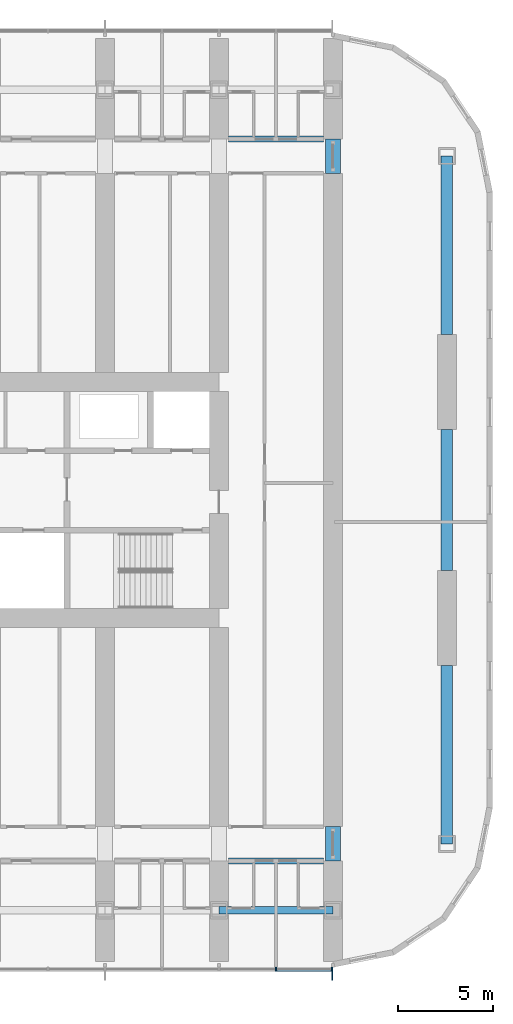
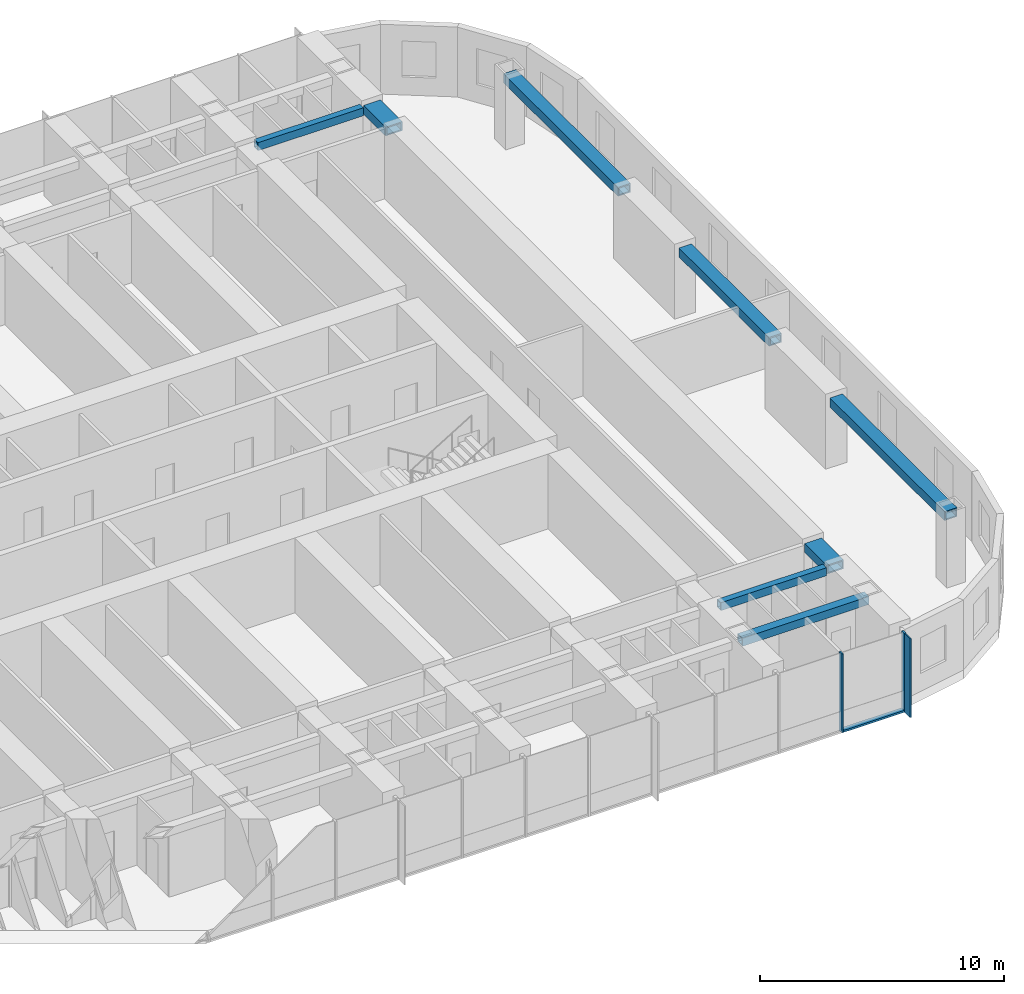
# One storey, part 8 of 28: 8 beams, 4 members, 1 element without a shape of its own.
"""IFC4 building model written with IfcOpenShell, lengths in metres."""

from ifc_helpers import new_model, si_unit, direction, frame, origin, origin_2d, place, context, subcontext, project, spatial, rectangle, hollow_rectangle, extrude, material, material_profile, profile_set, type_object, element, aggregate, save


model = new_model("IFC4")

# Units and contexts
model_context = context("Model", 3, precision=1e-05, world=origin(), true_north=direction((0.0, 1.0)))
body_context = subcontext(model_context, "Body", "Model", "MODEL_VIEW")
ifc_project = project(units=[si_unit("LENGTHUNIT", "METRE"), si_unit("AREAUNIT", "SQUARE_METRE"), si_unit("VOLUMEUNIT", "CUBIC_METRE"), si_unit("PLANEANGLEUNIT", "RADIAN"), si_unit("MASSUNIT", "GRAM", prefix="KILO")], contexts=[model_context])

# Site, building, storey
site_placement = place(None, origin())
site = spatial("IfcSite", under=ifc_project, at=site_placement, CompositionType="ELEMENT")
building_placement = place(site_placement, origin())
building = spatial("IfcBuilding", under=site, at=building_placement, Name="Orbita Commons", CompositionType="ELEMENT")
storey_placement = place(building_placement, frame((0.0, 0.0, 23.949951171875)))
storey = spatial("IfcBuildingStorey", under=building, at=storey_placement, Name="L05", CompositionType="ELEMENT", Elevation=23.949951171875)

# Curtain wall, members
ifc_material_1 = material(Name="Anodised aluminium frame, pale silver", Category="aluminium")
curtain_wall_type = type_object("IfcCurtainWallType", Name="Unitised curtain wall CW-T, vision and spandrel", PredefinedType="NOTDEFINED", material=ifc_material_1)
curtain_wall_placement = place(storey_placement, origin())
curtain_wall = element("IfcCurtainWall", 1, at=curtain_wall_placement, inside=storey, type_object=curtain_wall_type, Name="Curtain wall south L05", PredefinedType="NOTDEFINED")
ifc_material_2 = material(Name="Anodised aluminium, pale silver", Category="aluminium")
ifc_material_profile_1 = material_profile(ifc_material_2, rectangle(XDim=0.080078125, YDim=0.219970703125, at=origin_2d()), Name="AL 80x220")
ifc_profile_set_1 = profile_set([ifc_material_profile_1], Name="Anodised aluminium, pale silver")
member_type_1 = type_object("IfcMemberType", Name="Curtain wall mullion 80x220", PredefinedType="MULLION", material=ifc_profile_set_1)
member_1_placement = place(storey_placement, frame((69.0, 7.2900390625, -0.449951171875), z_axis=(0.0, 0.0, 1.0), x_axis=(1.0, 0.0, 0.0)))
member_1 = element("IfcMember", 2, at=member_1_placement, type_object=member_type_1, Name="Mullion 20 CW-L05-S", PredefinedType="MULLION", context=body_context, shape_type="SweptSolid", body=[
    extrude(rectangle(XDim=0.080078125, YDim=0.219970703125, at=origin_2d()), origin(), (0.0, 0.0, 1.0), 3.949951171875),
])
member_2_placement = place(storey_placement, frame((71.9599609375, 7.2900390625, -0.449951171875), z_axis=(0.0, 0.0, 1.0), x_axis=(1.0, 0.0, 0.0)))
member_2 = element("IfcMember", 3, at=member_2_placement, type_object=member_type_1, Name="Mullion 21 CW-L05-S", PredefinedType="MULLION", context=body_context, shape_type="SweptSolid", body=[
    extrude(rectangle(XDim=0.080078125, YDim=0.219970703125, at=origin_2d()), origin(), (0.0, 0.0, 1.0), 3.949951171875),
])
ifc_material_3 = material(Name="Anodised aluminium, pale silver", Category="aluminium")
ifc_material_profile_2 = material_profile(ifc_material_3, rectangle(XDim=0.219970703125, YDim=0.10009765625, at=origin_2d()), Name="AL 220x100")
ifc_profile_set_2 = profile_set([ifc_material_profile_2], Name="Anodised aluminium, pale silver")
member_type_2 = type_object("IfcMemberType", Name="Curtain wall stack transom 220x100", PredefinedType="USERDEFINED", material=ifc_profile_set_2)
member_3_placement = place(storey_placement, frame((69.0400390625, 7.2900390625, -0.39990234375), z_axis=(1.0, 0.0, 0.0), x_axis=(0.0, 1.0, 0.0)))
member_3 = element("IfcMember", 4, at=member_3_placement, type_object=member_type_2, Name="Transom 20.1 CW-L05-S", ObjectType="TRANSOM", PredefinedType="USERDEFINED", context=body_context, shape_type="SweptSolid", body=[
    extrude(rectangle(XDim=0.219970703125, YDim=0.10009765625, at=origin_2d()), origin(), (0.0, 0.0, 1.0), 2.8798828125),
])

# Beams
ifc_material_4 = material(Name="Steel ASTM A572 Gr 50 welded plate", Category="steel")
ifc_material_profile_3 = material_profile(ifc_material_4, hollow_rectangle(XDim=0.300048828125, YDim=0.39990234375, WallThickness=0.0400390625, at=origin_2d()), Name="BOX 400x300x40")
ifc_profile_set_3 = profile_set([ifc_material_profile_3], Name="Steel ASTM A572 Gr 50 welded plate")
beam_type_1 = type_object("IfcBeamType", Name="Steel corridor link BOX 400x300x40", PredefinedType="BEAM", material=ifc_profile_set_3)
for number, where, z_axis, x_axis, name in (
    (5, (66.5, 13.0, 3.300048828125), (1.0, 0.0, 0.0), (0.0, 1.0, 0.0), "Corridor beam SA 12-13 L05"),
    (6, (66.5, 51.0, 3.300048828125), (1.0, 0.0, 0.0), (0.0, 1.0, 0.0), "Corridor beam NB 12-13 L05"),
):
    element("IfcBeam", number, at=place(storey_placement, frame(where, z_axis=z_axis, x_axis=x_axis)), inside=storey, type_object=beam_type_1, Name=name, PredefinedType="BEAM", context=body_context, shape_type="SweptSolid", body=[
        extrude(hollow_rectangle(XDim=0.300048828125, YDim=0.39990234375, WallThickness=0.0400390625, at=origin_2d()), origin(), (0.0, 0.0, 1.0), 5.0),
    ])
ifc_material_5 = material(Name="Steel ASTM A572 Gr 50 welded plate", Category="steel")
ifc_material_profile_4 = material_profile(ifc_material_5, hollow_rectangle(XDim=0.800048828125, YDim=0.449951171875, WallThickness=0.06005859375, at=origin_2d()), Name="BOX 450x800x60")
ifc_profile_set_4 = profile_set([ifc_material_profile_4], Name="Steel ASTM A572 Gr 50 welded plate")
beam_type_2 = type_object("IfcBeamType", Name="Steel coupling link BOX 450x800x60", PredefinedType="LINTEL", material=ifc_profile_set_4)
for number, where, z_axis, x_axis, name in (
    (7, (72.0, 13.0, 3.275146484375), (0.0, 1.0, 0.0), (-1.0, 0.0, 0.0), "Coupling beam 13 south L05"),
    (8, (72.0, 49.199951171875, 3.275146484375), (0.0, 1.0, 0.0), (-1.0, 0.0, 0.0), "Coupling beam 13 north L05"),
):
    element("IfcBeam", number, at=place(storey_placement, frame(where, z_axis=z_axis, x_axis=x_axis)), inside=storey, type_object=beam_type_2, Name=name, PredefinedType="LINTEL", context=body_context, shape_type="SweptSolid", body=[
        extrude(hollow_rectangle(XDim=0.800048828125, YDim=0.449951171875, WallThickness=0.06005859375, at=origin_2d()), origin(), (0.0, 0.0, 1.0), 1.800048828125),
    ])
ifc_material_6 = material(Name="Steel ASTM A572 Gr 50 welded plate", Category="steel")
ifc_material_profile_5 = material_profile(ifc_material_6, hollow_rectangle(XDim=0.60009765625, YDim=0.449951171875, WallThickness=0.06005859375, at=origin_2d()), Name="BOX 450x600x60")
ifc_profile_set_5 = profile_set([ifc_material_profile_5], Name="Steel ASTM A572 Gr 50 welded plate")
beam_type_3 = type_object("IfcBeamType", Name="Steel end frame link BOX 450x600x60", PredefinedType="BEAM", material=ifc_profile_set_5)
beam_1_placement = place(storey_placement, frame((78.0, 13.89990234375, 3.275146484375), z_axis=(0.0, 1.0, 0.0), x_axis=(-1.0, 0.0, 0.0)))
element("IfcBeam", 9, at=beam_1_placement, inside=storey, type_object=beam_type_3, Name="End frame beam 14 B-C L05", PredefinedType="BEAM", context=body_context, shape_type="SweptSolid", body=[
    extrude(hollow_rectangle(XDim=0.60009765625, YDim=0.449951171875, WallThickness=0.06005859375, at=origin_2d()), origin(), (0.0, 0.0, 1.0), 9.400146484375),
])
beam_2_placement = place(storey_placement, frame((78.0, 28.300048828125, 3.275146484375), z_axis=(0.0, 1.0, 0.0), x_axis=(-1.0, 0.0, 0.0)))
element("IfcBeam", 10, at=beam_2_placement, inside=storey, type_object=beam_type_3, Name="End frame beam 14 C-D L05", PredefinedType="BEAM", context=body_context, shape_type="SweptSolid", body=[
    extrude(hollow_rectangle(XDim=0.60009765625, YDim=0.449951171875, WallThickness=0.06005859375, at=origin_2d()), origin(), (0.0, 0.0, 1.0), 7.39990234375),
])
beam_3_placement = place(storey_placement, frame((78.0, 40.699951171875, 3.275146484375), z_axis=(0.0, 1.0, 0.0), x_axis=(-1.0, 0.0, 0.0)))
element("IfcBeam", 11, at=beam_3_placement, inside=storey, type_object=beam_type_3, Name="End frame beam 14 D-E L05", PredefinedType="BEAM", context=body_context, shape_type="SweptSolid", body=[
    extrude(hollow_rectangle(XDim=0.60009765625, YDim=0.449951171875, WallThickness=0.06005859375, at=origin_2d()), origin(), (0.0, 0.0, 1.0), 9.400146484375),
])
ifc_material_7 = material(Name="Steel ASTM A572 Gr 50 welded plate", Category="steel")
ifc_material_profile_6 = material_profile(ifc_material_7, hollow_rectangle(XDim=0.39990234375, YDim=0.39990234375, WallThickness=0.0400390625, at=origin_2d()), Name="BOX 400x400x40")
ifc_profile_set_6 = profile_set([ifc_material_profile_6], Name="Steel ASTM A572 Gr 50 welded plate")
beam_type_4 = type_object("IfcBeamType", Name="Steel spandrel BOX 400x400x40", PredefinedType="SPANDREL", material=ifc_profile_set_6)
beam_4_placement = place(storey_placement, frame((66.0, 10.39990234375, 3.300048828125), z_axis=(1.0, 0.0, 0.0), x_axis=(0.0, 1.0, 0.0)))
element("IfcBeam", 12, at=beam_4_placement, inside=storey, type_object=beam_type_4, Name="Spandrel beam B 12-13 L05", PredefinedType="SPANDREL", context=body_context, shape_type="SweptSolid", body=[
    extrude(hollow_rectangle(XDim=0.39990234375, YDim=0.39990234375, WallThickness=0.0400390625, at=origin_2d()), origin(), (0.0, 0.0, 1.0), 6.0),
])

# Member
ifc_material_8 = material(Name="Anodised aluminium, pale silver", Category="aluminium")
ifc_material_profile_7 = material_profile(ifc_material_8, rectangle(XDim=0.06005859375, YDim=0.449951171875, at=origin_2d()), Name="FIN 60x450")
ifc_profile_set_7 = profile_set([ifc_material_profile_7], Name="Anodised aluminium, pale silver")
member_type_3 = type_object("IfcMemberType", Name="Vertical fin 60x450 pale aluminium", PredefinedType="USERDEFINED", material=ifc_profile_set_7)
member_4_placement = place(storey_placement, frame((71.9599609375, 6.955078125, -0.449951171875), z_axis=(0.0, 0.0, 1.0), x_axis=(1.0, 0.0, 0.0)))
member_4 = element("IfcMember", 13, at=member_4_placement, type_object=member_type_3, Name="Fin 21 CW-L05-S", ObjectType="FIN", PredefinedType="USERDEFINED", context=body_context, shape_type="SweptSolid", body=[
    extrude(rectangle(XDim=0.06005859375, YDim=0.449951171875, at=origin_2d()), origin(), (0.0, 0.0, 1.0), 3.949951171875),
])

aggregate(curtain_wall, [member_1, member_2, member_4, member_3])

save(model, "model.ifc")
